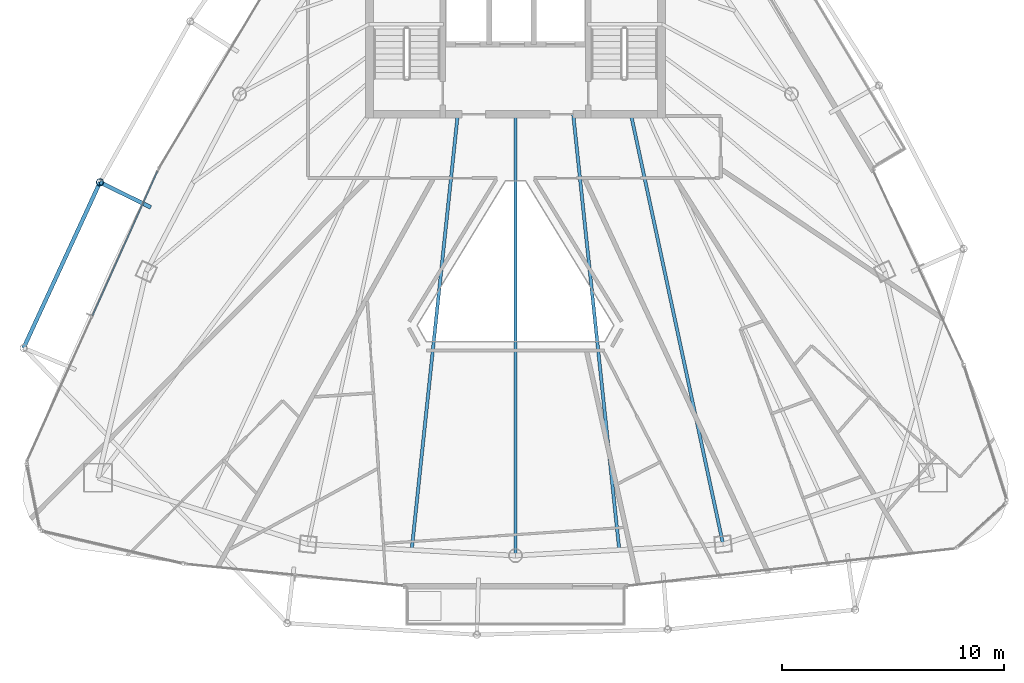
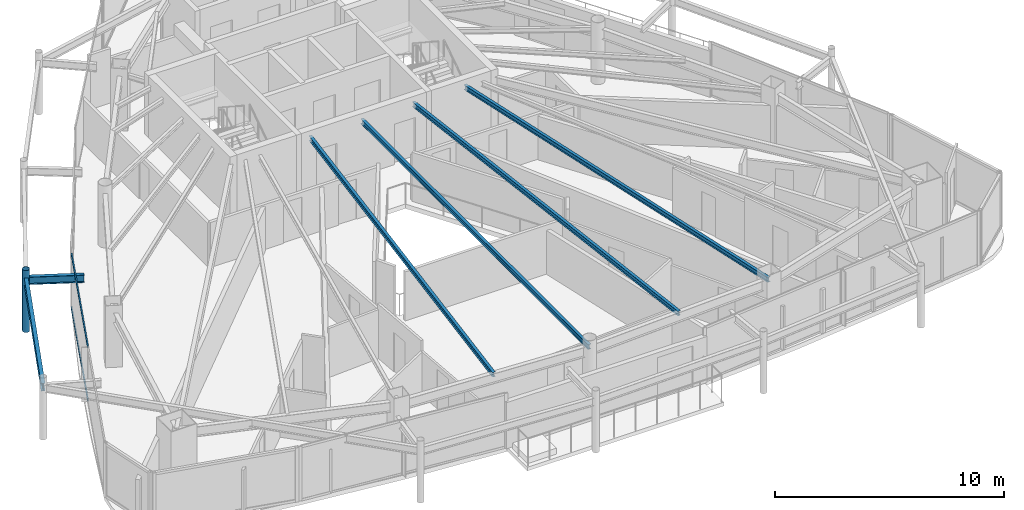
# One storey, part 9 of 29: 6 beams, 3 members, 1 element without a shape of its own.
"""IFC4 building model written with IfcOpenShell, lengths in metres."""

from ifc_helpers import new_model, si_unit, direction, frame, origin, origin_2d, place, context, subcontext, project, spatial, hollow_rectangle, hollow_circle, i_section, extrude, material, layer, layer_set, material_profile, profile_set, type_object, element, aggregate, save


model = new_model("IFC4")

# Units and contexts
model_context = context("Model", 3, precision=1e-05, world=origin(), true_north=direction((0.0, 1.0)))
body_context = subcontext(model_context, "Body", "Model", "MODEL_VIEW")
ifc_project = project(units=[si_unit("LENGTHUNIT", "METRE"), si_unit("AREAUNIT", "SQUARE_METRE"), si_unit("VOLUMEUNIT", "CUBIC_METRE"), si_unit("PLANEANGLEUNIT", "RADIAN"), si_unit("MASSUNIT", "GRAM", prefix="KILO")], contexts=[model_context])

# Site, building, storey
site_placement = place(None, origin())
site = spatial("IfcSite", under=ifc_project, at=site_placement, CompositionType="ELEMENT")
building_placement = place(site_placement, origin())
building = spatial("IfcBuilding", under=site, at=building_placement, Name="Orvanel Arch Residences", CompositionType="ELEMENT")
storey_placement = place(building_placement, frame((0.0, 0.0, 253.550048828125)))
storey = spatial("IfcBuildingStorey", under=building, at=storey_placement, Name="L72", CompositionType="ELEMENT", Elevation=253.550048828125)

# Beams
ifc_material_1 = material(Name="Structural steel AS/NZS 3679.1 Grade 300 (300 MPa)", Category="steel")
ifc_material_profile_1 = material_profile(ifc_material_1, i_section(OverallWidth=0.14599609375, OverallDepth=0.251953125, WebThickness=0.006103515625, FlangeThickness=0.008544921875, at=origin_2d()), Name="250UB31.4")
ifc_profile_set_1 = profile_set([ifc_material_profile_1], Name="Structural steel AS/NZS 3679.1 Grade 300 (300 MPa)")
beam_type_1 = type_object("IfcBeamType", Name="BJ-250UB", PredefinedType="JOIST", material=ifc_profile_set_1)
beam_1_placement = place(storey_placement, frame((38.199951171875, 26.72509765625, 2.77392578125), z_axis=(0.209547604985, -0.977798446125, 0.0), x_axis=(0.977798446125, 0.209547604985, 0.0)))
element("IfcBeam", 1, at=beam_1_placement, inside=storey, type_object=beam_type_1, Name="L72 SE Wing Floor Joist", PredefinedType="JOIST", context=body_context, shape_type="SweptSolid", body=[
    extrude(i_section(OverallWidth=0.14599609375, OverallDepth=0.251953125, WebThickness=0.006103515625, FlangeThickness=0.008544921875, at=origin_2d()), origin(), (0.0, 0.0, 1.0), 19.809814453125),
])
beam_2_placement = place(storey_placement, frame((33.0, 26.72509765625, 2.77392578125), z_axis=(0.0, -1.0, 0.0), x_axis=(1.0, 0.0, 0.0)))
element("IfcBeam", 2, at=beam_2_placement, inside=storey, type_object=beam_type_1, Name="L72 SSW Wing Floor Joist", PredefinedType="JOIST", context=body_context, shape_type="SweptSolid", body=[
    extrude(i_section(OverallWidth=0.14599609375, OverallDepth=0.251953125, WebThickness=0.006103515625, FlangeThickness=0.008544921875, at=origin_2d()), origin(), (0.0, 0.0, 1.0), 19.881103515625),
])
for number, where, z_axis, x_axis, name in (
    (3, (30.39990234375, 26.72509765625, 2.77392578125), (-0.105143936131, -0.994457014, 0.0), (0.994457014, -0.105143936131, 0.0), "L72 WSW2 Wing Floor Joist"),
    (4, (35.60009765625, 26.72509765625, 2.77392578125), (0.105143936131, -0.994457014, 0.0), (0.994457014, 0.105143936131, 0.0), "L72 ESE2 Wing Floor Joist"),
):
    element("IfcBeam", number, at=place(storey_placement, frame(where, z_axis=z_axis, x_axis=x_axis)), inside=storey, type_object=beam_type_1, Name=name, PredefinedType="JOIST", context=body_context, shape_type="SweptSolid", body=[
        extrude(i_section(OverallWidth=0.14599609375, OverallDepth=0.251953125, WebThickness=0.006103515625, FlangeThickness=0.008544921875, at=origin_2d()), origin(), (0.0, 0.0, 1.0), 19.734375),
    ])
ifc_material_profile_2 = material_profile(ifc_material_1, i_section(OverallWidth=0.177978515625, OverallDepth=0.406005859375, WebThickness=0.0078125, FlangeThickness=0.0126953125, at=origin_2d()), Name="410UB59.7")
ifc_profile_set_2 = profile_set([ifc_material_profile_2], Name="Structural steel AS/NZS 3679.1 Grade 300 (300 MPa)")
beam_type_2 = type_object("IfcBeamType", Name="OB-410UB-EXT", PredefinedType="SPANDREL", material=ifc_profile_set_2)
beam_3_placement = place(storey_placement, frame((16.569091796875, 22.532958984375, 2.697021484375), z_axis=(-0.897243036385, 0.441537012784, 0.0), x_axis=(-0.441537012784, -0.897243036385, 0.0)))
element("IfcBeam", 5, at=beam_3_placement, inside=storey, type_object=beam_type_2, Name="L72 Outer Frame Radial Tie Beam 03", PredefinedType="SPANDREL", context=body_context, shape_type="SweptSolid", body=[
    extrude(i_section(OverallWidth=0.177978515625, OverallDepth=0.406005859375, WebThickness=0.0078125, FlangeThickness=0.0126953125, at=origin_2d()), origin(), (0.0, 0.0, 1.0), 2.550048828125),
])
beam_4_placement = place(storey_placement, frame((14.281005859375, 23.658935546875, 2.697021484375), z_axis=(-0.418654910199, -0.908145399243, 0.0), x_axis=(0.908145399243, -0.418654910199, 0.0)))
element("IfcBeam", 6, at=beam_4_placement, inside=storey, type_object=beam_type_2, Name="L72 Outer Perimeter Floor Ring Beam 03", PredefinedType="SPANDREL", context=body_context, shape_type="SweptSolid", body=[
    extrude(i_section(OverallWidth=0.177978515625, OverallDepth=0.406005859375, WebThickness=0.0078125, FlangeThickness=0.0126953125, at=origin_2d()), origin(), (0.0, 0.0, 1.0), 8.216552734375),
])

# Member
ifc_material_2 = material(Name="Structural steel AS/NZS 1163 C350L0 (Grade 350)", Category="steel")
ifc_material_profile_3 = material_profile(ifc_material_2, hollow_circle(Radius=0.162109375, WallThickness=0.0126953125, at=origin_2d()), Name="CHS324x12.7")
ifc_profile_set_3 = profile_set([ifc_material_profile_3], Name="Structural steel AS/NZS 1163 C350L0 (Grade 350)")
member_type_1 = type_object("IfcMemberType", Name="ST-324CHS-EXT", PredefinedType="STRUT", material=ifc_profile_set_3)
member_1_placement = place(storey_placement, frame((14.281005859375, 23.658935546875, 0.0), z_axis=(0.0, 0.0, 1.0), x_axis=(1.0, 0.0, 0.0)))
element("IfcMember", 7, at=member_1_placement, inside=storey, type_object=member_type_1, Name="L72 Outer Perimeter Frame Post 03", PredefinedType="STRUT", context=body_context, shape_type="SweptSolid", body=[
    extrude(hollow_circle(Radius=0.162109375, WallThickness=0.0126953125, at=origin_2d()), origin(), (0.0, 0.0, 1.0), 3.300048828125),
])

# Curtain wall, members
ifc_material_3 = material(Name="Bronze-anodised aluminium AA6063-T6", Category="aluminium")
ifc_layer = layer(ifc_material_3, 0.175048828125)
ifc_layer_set = layer_set([ifc_layer], Name="Bronze-anodised aluminium AA6063-T6")
curtain_wall_type = type_object("IfcCurtainWallType", Name="CW4-HI-SYS", PredefinedType="NOTDEFINED", material=ifc_layer_set)
curtain_wall_placement = place(storey_placement, origin())
curtain_wall = element("IfcCurtainWall", 8, at=curtain_wall_placement, inside=storey, type_object=curtain_wall_type, Name="L72 CW4-HI-SYS Unitised Curtain Wall", PredefinedType="NOTDEFINED")
ifc_material_profile_4 = material_profile(ifc_material_3, hollow_rectangle(XDim=0.06005859375, YDim=0.1201171875, WallThickness=0.00341796875, at=origin_2d()), Name="ALU120x60x3.5")
ifc_profile_set_4 = profile_set([ifc_material_profile_4], Name="Bronze-anodised aluminium AA6063-T6")
member_type_2 = type_object("IfcMemberType", Name="TRN-120x60", PredefinedType="USERDEFINED", material=ifc_profile_set_4)
member_2_placement = place(storey_placement, frame((16.869384765625, 24.15380859375, 0.030029296875), z_axis=(-0.410407456419, -0.911902253378, 0.0), x_axis=(0.911902253378, -0.410407456419, 0.0)))
member_2 = element("IfcMember", 9, at=member_2_placement, type_object=member_type_2, Name="CW-S4 transom 1.1", ObjectType="TRANSOM", PredefinedType="USERDEFINED", context=body_context, shape_type="SweptSolid", body=[
    extrude(hollow_rectangle(XDim=0.06005859375, YDim=0.1201171875, WallThickness=0.00341796875, at=origin_2d()), origin(), (0.0, 0.0, 1.0), 7.118896484375),
])
member_3_placement = place(storey_placement, frame((16.869384765625, 24.15380859375, 2.869873046875), z_axis=(-0.410407456419, -0.911902253378, 0.0), x_axis=(0.911902253378, -0.410407456419, 0.0)))
member_3 = element("IfcMember", 10, at=member_3_placement, type_object=member_type_2, Name="CW-S4 transom 1.2", ObjectType="TRANSOM", PredefinedType="USERDEFINED", context=body_context, shape_type="SweptSolid", body=[
    extrude(hollow_rectangle(XDim=0.06005859375, YDim=0.1201171875, WallThickness=0.00341796875, at=origin_2d()), origin(), (0.0, 0.0, 1.0), 7.118896484375),
])
aggregate(curtain_wall, [member_2, member_3])

save(model, "model.ifc")
